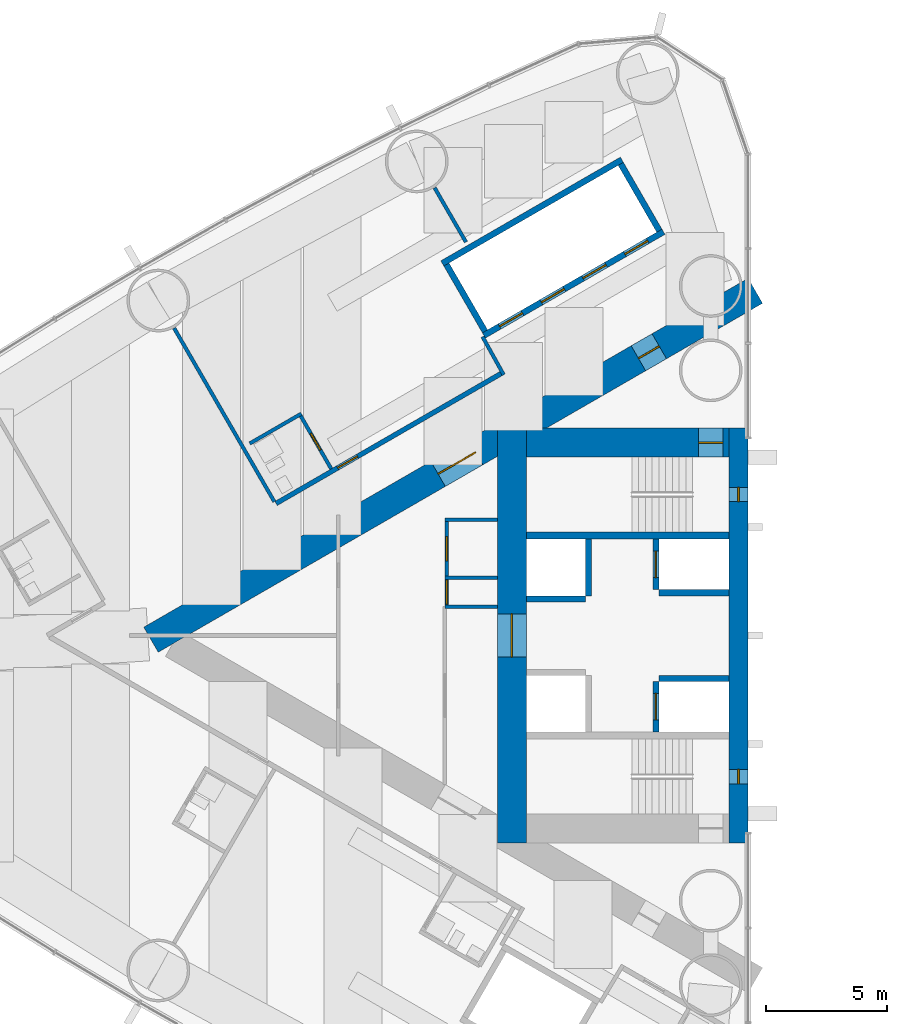
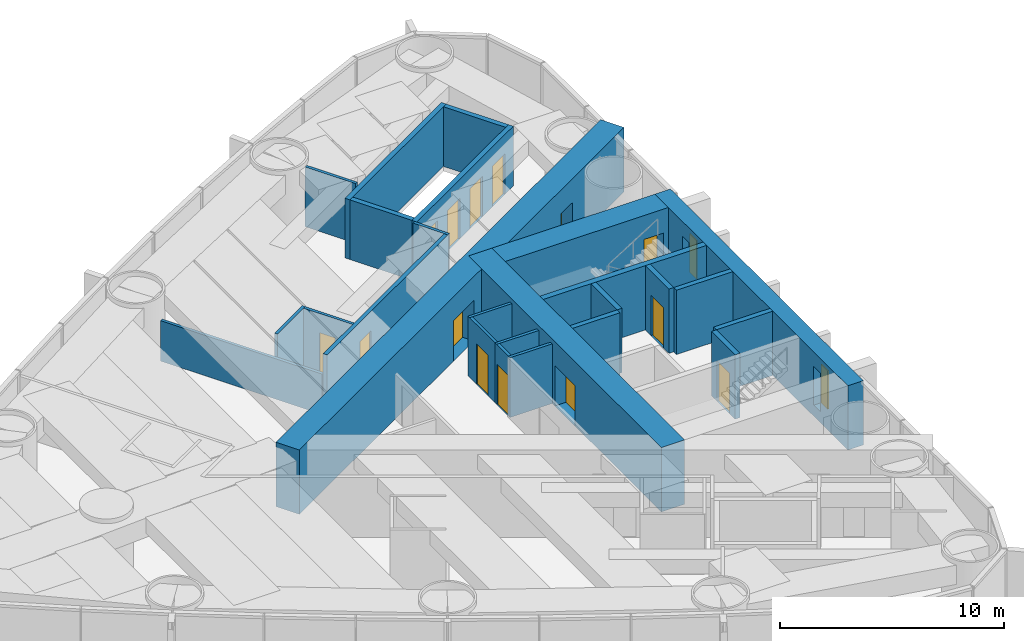
# One storey, part 12 of 18: 26 walls, 14 doors, 2 windows, 16 openings.
"""IFC4 building model written with IfcOpenShell, lengths in metres."""

from ifc_helpers import new_model, si_unit, direction, frame, frame_2d, origin, place, context, subcontext, project, spatial, rectangle, extrude, material, layer, layer_set, type_object, element, fill, save


model = new_model("IFC4")

# Units and contexts
model_context = context("Model", 3, precision=1e-05, world=origin(), true_north=direction((0.0, 1.0)))
body_context = subcontext(model_context, "Body", "Model", "MODEL_VIEW")
ifc_project = project(units=[si_unit("LENGTHUNIT", "METRE"), si_unit("AREAUNIT", "SQUARE_METRE"), si_unit("VOLUMEUNIT", "CUBIC_METRE"), si_unit("PLANEANGLEUNIT", "RADIAN"), si_unit("MASSUNIT", "GRAM", prefix="KILO")], contexts=[model_context])

# Site, building, storey
site_placement = place(None, origin())
site = spatial("IfcSite", under=ifc_project, at=site_placement, CompositionType="ELEMENT")
building_placement = place(site_placement, origin())
building = spatial("IfcBuilding", under=site, at=building_placement, Name="Lancet Gate Hotel", CompositionType="ELEMENT")
storey_placement = place(building_placement, frame((0.0, 0.0, 125.60009765625)))
storey = spatial("IfcBuildingStorey", under=building, at=storey_placement, Name="L33", CompositionType="ELEMENT", Elevation=125.60009765625)

# Wall
ifc_material_1 = material(Name="Moisture resistant board partition")
ifc_layer_1 = layer(ifc_material_1, 0.14990234375)
ifc_layer_set_1 = layer_set([ifc_layer_1], Name="Bathroom wall 150")
wall_type_1 = type_object("IfcWallType", Name="Bathroom wall 150", PredefinedType="PARTITIONING", material=ifc_layer_set_1)
wall_1_placement = place(storey_placement, frame((-46.0263671875, 9.2041015625, 0.0), z_axis=(0.0, 0.0, 1.0), x_axis=(-0.866006523861, -0.500032699561, 0.0)))
element("IfcWall", 1, at=wall_1_placement, inside=storey, type_object=wall_type_1, Name="T1 bathroom wall 150 L33", PredefinedType="PARTITIONING", context=body_context, shape_type="SweptSolid", body=[
    extrude(rectangle(XDim=2.474853515625, YDim=0.14990234375, at=frame_2d((1.2373046875, 0.0))), origin(), (0.0, 0.0, 1.0), 3.25),
])

# Wall, opening, door
wall_2_placement = place(storey_placement, frame((-44.791259765625, 6.9150390625, 0.0), z_axis=(0.0, 0.0, 1.0), x_axis=(-0.500047596559, 0.865997922154, 0.0)))
wall_2 = element("IfcWall", 2, at=wall_2_placement, inside=storey, type_object=wall_type_1, Name="T1 bathroom wall 150 L33", PredefinedType="PARTITIONING", context=body_context, shape_type="SweptSolid", body=[
    extrude(rectangle(XDim=2.599853515625, YDim=0.14990234375, at=frame_2d((1.2998046875, 0.0))), origin(), (0.0, 0.0, 1.0), 3.25),
])
opening_1_placement = place(wall_2_placement, frame((0.89990234375, 0.0, 0.0)))
opening_1 = element("IfcOpeningElement", 3, at=opening_1_placement, cuts=wall_2, Name="Opening 3302-B", PredefinedType="OPENING", context=body_context, shape_type="SweptSolid", body=[
    extrude(rectangle(XDim=0.800048828125, YDim=2.199951171875, at=frame_2d((0.39990234375, 1.10009765625))), frame((0.0, 0.0849609375, 0.0), z_axis=(0.0, -1.0, 0.0), x_axis=(1.0, 0.0, 0.0)), (0.0, 0.0, 1.0), 0.169921875),
])
ifc_material_2 = material(Name="Timber door set", Category="wood")
door_type_1 = type_object("IfcDoorType", Name="Bathroom door 800", OperationType="SINGLE_SWING_RIGHT", PredefinedType="DOOR", material=ifc_material_2)
door_1_placement = place(opening_1_placement, origin())
door_1 = element("IfcDoor", 4, at=door_1_placement, inside=storey, type_object=door_type_1, Name="3302-B", OperationType="SINGLE_SWING_RIGHT", OverallHeight=2.199951171875, OverallWidth=0.800048828125, PredefinedType="DOOR", context=body_context, shape_type="SweptSolid", body=[
    extrude(rectangle(XDim=0.800048828125, YDim=2.199951171875, at=frame_2d((0.39990234375, 1.10009765625))), frame((0.0, 0.02490234375, 0.0), z_axis=(0.0, -1.0, 0.0), x_axis=(1.0, 0.0, 0.0)), (0.0, 0.0, 1.0), 0.050048828125),
])
fill(opening_1, door_1)

# Wall, openings, doors
ifc_material_3 = material(Name="Concrete C70/85", Category="concrete")
ifc_layer_2 = layer(ifc_material_3, 1.199951171875)
ifc_layer_set_2 = layer_set([ifc_layer_2], Name="Buttress wall 1200")
wall_type_2 = type_object("IfcWallType", Name="Buttress wall 1200", PredefinedType="SHEAR", material=ifc_layer_set_2)
wall_3_placement = place(storey_placement, frame((-27.199951171875, 14.300048828125, 0.0), z_axis=(0.0, 0.0, 1.0), x_axis=(-0.866026593062, -0.499997940104, 0.0)))
wall_3 = element("IfcWall", 5, at=wall_3_placement, inside=storey, type_object=wall_type_2, Name="T1 buttress wall S L33", PredefinedType="SHEAR", context=body_context, shape_type="SweptSolid", body=[
    extrude(rectangle(XDim=28.9462890625, YDim=1.199951171875, at=frame_2d((14.47314453125, 0.0))), origin(), (0.0, 0.0, 1.0), 3.5),
])
opening_2_placement = place(wall_3_placement, frame((4.60009765625, 0.0, 0.0)))
opening_2 = element("IfcOpeningElement", 6, at=opening_2_placement, cuts=wall_3, Name="Opening T1-L33-LS", PredefinedType="OPENING", context=body_context, shape_type="SweptSolid", body=[
    extrude(rectangle(XDim=1.0, YDim=2.199951171875, at=frame_2d((0.5, 1.10009765625))), frame((0.0, 0.60986328125, 0.0), z_axis=(0.0, -1.0, 0.0), x_axis=(1.0, 0.0, 0.0)), (0.0, 0.0, 1.0), 1.219970703125),
])
opening_3_placement = place(wall_3_placement, frame((13.39453125, 0.0, 0.0)))
opening_3 = element("IfcOpeningElement", 7, at=opening_3_placement, cuts=wall_3, Name="Opening T1-L33-LHS", PredefinedType="OPENING", context=body_context, shape_type="SweptSolid", body=[
    extrude(rectangle(XDim=1.800048828125, YDim=2.199951171875, at=frame_2d((0.89990234375, 1.10009765625))), frame((0.0, 0.60986328125, 0.0), z_axis=(0.0, -1.0, 0.0), x_axis=(1.0, 0.0, 0.0)), (0.0, 0.0, 1.0), 1.219970703125),
])
ifc_material_4 = material(Name="Timber door set", Category="wood")
door_type_2 = type_object("IfcDoorType", Name="Lobby double door 1800", OperationType="DOUBLE_DOOR_SINGLE_SWING", PredefinedType="DOOR", material=ifc_material_4)
door_2_placement = place(opening_3_placement, origin())
door_2 = element("IfcDoor", 8, at=door_2_placement, inside=storey, type_object=door_type_2, Name="T1-L33-LHS", OperationType="DOUBLE_DOOR_SINGLE_SWING", OverallHeight=2.199951171875, OverallWidth=1.800048828125, PredefinedType="DOOR", context=body_context, shape_type="SweptSolid", body=[
    extrude(rectangle(XDim=1.800048828125, YDim=2.199951171875, at=frame_2d((0.89990234375, 1.10009765625))), frame((0.0, 0.02490234375, 0.0), z_axis=(0.0, -1.0, 0.0), x_axis=(1.0, 0.0, 0.0)), (0.0, 0.0, 1.0), 0.050048828125),
])
fill(opening_3, door_2)
ifc_material_5 = material(Name="Timber door set", Category="wood")
door_type_3 = type_object("IfcDoorType", Name="Stair lobby door 1000", OperationType="SINGLE_SWING_LEFT", PredefinedType="DOOR", material=ifc_material_5)
door_3_placement = place(opening_2_placement, origin())
door_3 = element("IfcDoor", 9, at=door_3_placement, inside=storey, type_object=door_type_3, Name="T1-L33-LS", OperationType="SINGLE_SWING_LEFT", OverallHeight=2.199951171875, OverallWidth=1.0, PredefinedType="DOOR", context=body_context, shape_type="SweptSolid", body=[
    extrude(rectangle(XDim=1.0, YDim=2.199951171875, at=frame_2d((0.5, 1.10009765625))), frame((0.0, 0.02490234375, 0.0), z_axis=(0.0, -1.0, 0.0), x_axis=(1.0, 0.0, 0.0)), (0.0, 0.0, 1.0), 0.050048828125),
])
fill(opening_2, door_3)

# Wall, opening, door
ifc_material_6 = material(Name="Concrete C70/85", Category="concrete")
ifc_layer_3 = layer(ifc_material_6, 1.199951171875)
ifc_layer_set_3 = layer_set([ifc_layer_3], Name="Core wall 1200")
wall_type_3 = type_object("IfcWallType", Name="Core wall 1200", PredefinedType="SHEAR", material=ifc_layer_set_3)
wall_4_placement = place(storey_placement, frame((-37.300048828125, 8.60009765625, 0.0), z_axis=(0.0, 0.0, 1.0), x_axis=(0.0, -1.0, 0.0)))
wall_4 = element("IfcWall", 10, at=wall_4_placement, inside=storey, type_object=wall_type_3, Name="T1 core wall back L33", PredefinedType="SHEAR", context=body_context, shape_type="SweptSolid", body=[
    extrude(rectangle(XDim=17.2001953125, YDim=1.199951171875, at=frame_2d((8.60009765625, 0.0))), origin(), (0.0, 0.0, 1.0), 3.5),
])
opening_4_placement = place(wall_4_placement, frame((7.699951171875, 0.0, 0.0)))
opening_4 = element("IfcOpeningElement", 11, at=opening_4_placement, cuts=wall_4, Name="Opening T1-L33-LL", PredefinedType="OPENING", context=body_context, shape_type="SweptSolid", body=[
    extrude(rectangle(XDim=1.800048828125, YDim=2.199951171875, at=frame_2d((0.89990234375, 1.10009765625))), frame((0.0, 0.60986328125, 0.0), z_axis=(0.0, -1.0, 0.0), x_axis=(1.0, 0.0, 0.0)), (0.0, 0.0, 1.0), 1.219970703125),
])
door_4_placement = place(opening_4_placement, origin())
door_4 = element("IfcDoor", 12, at=door_4_placement, inside=storey, type_object=door_type_2, Name="T1-L33-LL", OperationType="DOUBLE_DOOR_SINGLE_SWING", OverallHeight=2.199951171875, OverallWidth=1.800048828125, PredefinedType="DOOR", context=body_context, shape_type="SweptSolid", body=[
    extrude(rectangle(XDim=1.800048828125, YDim=2.199951171875, at=frame_2d((0.89990234375, 1.10009765625))), frame((0.0, 0.02490234375, 0.0), z_axis=(0.0, -1.0, 0.0), x_axis=(1.0, 0.0, 0.0)), (0.0, 0.0, 1.0), 0.050048828125),
])
fill(opening_4, door_4)

wall_5_placement = place(storey_placement, frame((-28.300048828125, 8.0, 0.0), z_axis=(0.0, 0.0, 1.0), x_axis=(-1.0, 0.0, 0.0)))
wall_5 = element("IfcWall", 13, at=wall_5_placement, inside=storey, type_object=wall_type_3, Name="T1 core wall side-S L33", PredefinedType="SHEAR", context=body_context, shape_type="SweptSolid", body=[
    extrude(rectangle(XDim=8.39990234375, YDim=1.199951171875, at=frame_2d((4.199951171875, 0.0))), origin(), (0.0, 0.0, 1.0), 3.5),
])
opening_5_placement = place(wall_5_placement, frame((0.25, 0.0, 0.0)))
opening_5 = element("IfcOpeningElement", 14, at=opening_5_placement, cuts=wall_5, Name="Opening T1-L33-ST1", PredefinedType="OPENING", context=body_context, shape_type="SweptSolid", body=[
    extrude(rectangle(XDim=1.0, YDim=2.199951171875, at=frame_2d((0.5, 1.10009765625))), frame((0.0, 0.60986328125, 0.0), z_axis=(0.0, -1.0, 0.0), x_axis=(1.0, 0.0, 0.0)), (0.0, 0.0, 1.0), 1.219970703125),
])
ifc_material_7 = material(Name="Timber door set", Category="wood")
door_type_4 = type_object("IfcDoorType", Name="Stair door 1000", OperationType="SINGLE_SWING_RIGHT", PredefinedType="DOOR", material=ifc_material_7)
door_5_placement = place(opening_5_placement, origin())
door_5 = element("IfcDoor", 15, at=door_5_placement, inside=storey, type_object=door_type_4, Name="T1-L33-ST1", OperationType="SINGLE_SWING_RIGHT", OverallHeight=2.199951171875, OverallWidth=1.0, PredefinedType="DOOR", context=body_context, shape_type="SweptSolid", body=[
    extrude(rectangle(XDim=1.0, YDim=2.199951171875, at=frame_2d((0.5, 1.10009765625))), frame((0.0, 0.02490234375, 0.0), z_axis=(0.0, -1.0, 0.0), x_axis=(1.0, 0.0, 0.0)), (0.0, 0.0, 1.0), 0.050048828125),
])
fill(opening_5, door_5)

# Wall, openings, windows
ifc_material_8 = material(Name="Concrete C70/85", Category="concrete")
ifc_layer_4 = layer(ifc_material_8, 0.800048828125)
ifc_layer_set_4 = layer_set([ifc_layer_4], Name="Core wall 800")
wall_type_4 = type_object("IfcWallType", Name="Core wall 800", PredefinedType="SHEAR", material=ifc_layer_set_4)
wall_6_placement = place(storey_placement, frame((-27.89990234375, 8.60009765625, 0.0), z_axis=(0.0, 0.0, 1.0), x_axis=(0.0, -1.0, 0.0)))
wall_6 = element("IfcWall", 16, at=wall_6_placement, inside=storey, type_object=wall_type_4, Name="T1 core wall front L33", PredefinedType="SHEAR", context=body_context, shape_type="SweptSolid", body=[
    extrude(rectangle(XDim=17.2001953125, YDim=0.800048828125, at=frame_2d((8.60009765625, 0.0))), origin(), (0.0, 0.0, 1.0), 3.5),
])
opening_6_placement = place(wall_6_placement, frame((2.449951171875, 0.0, 0.60009765625)))
opening_6 = element("IfcOpeningElement", 17, at=opening_6_placement, cuts=wall_6, Name="Opening LW1", PredefinedType="OPENING", context=body_context, shape_type="SweptSolid", body=[
    extrude(rectangle(XDim=0.60009765625, YDim=2.10009765625, at=frame_2d((0.300048828125, 1.050048828125))), frame((0.0, 0.409912109375, 0.0), z_axis=(0.0, -1.0, 0.0), x_axis=(1.0, 0.0, 0.0)), (0.0, 0.0, 1.0), 0.820068359375),
])
opening_7_placement = place(wall_6_placement, frame((14.14990234375, 0.0, 0.60009765625)))
opening_7 = element("IfcOpeningElement", 18, at=opening_7_placement, cuts=wall_6, Name="Opening LW1", PredefinedType="OPENING", context=body_context, shape_type="SweptSolid", body=[
    extrude(rectangle(XDim=0.60009765625, YDim=2.10009765625, at=frame_2d((0.300048828125, 1.050048828125))), frame((0.0, 0.409912109375, 0.0), z_axis=(0.0, -1.0, 0.0), x_axis=(1.0, 0.0, 0.0)), (0.0, 0.0, 1.0), 0.820068359375),
])
ifc_material_9 = material(Name="Fire-resisting glazed steel window", Category="steel")
window_type = type_object("IfcWindowType", Name="Lancet window 600x2100", PartitioningType="SINGLE_PANEL", PredefinedType="WINDOW", material=ifc_material_9)
window_1_placement = place(opening_6_placement, origin())
window_1 = element("IfcWindow", 19, at=window_1_placement, inside=storey, type_object=window_type, Name="T1 stair window S L33", OverallHeight=2.10009765625, OverallWidth=0.60009765625, PartitioningType="SINGLE_PANEL", PredefinedType="WINDOW", context=body_context, shape_type="SweptSolid", body=[
    extrude(rectangle(XDim=0.60009765625, YDim=2.10009765625, at=frame_2d((0.300048828125, 1.050048828125))), frame((0.0, 0.030029296875, 0.0), z_axis=(0.0, -1.0, 0.0), x_axis=(1.0, 0.0, 0.0)), (0.0, 0.0, 1.0), 0.06005859375),
])
fill(opening_6, window_1)
window_2_placement = place(opening_7_placement, origin())
window_2 = element("IfcWindow", 20, at=window_2_placement, inside=storey, type_object=window_type, Name="T1 stair window N L33", OverallHeight=2.10009765625, OverallWidth=0.60009765625, PartitioningType="SINGLE_PANEL", PredefinedType="WINDOW", context=body_context, shape_type="SweptSolid", body=[
    extrude(rectangle(XDim=0.60009765625, YDim=2.10009765625, at=frame_2d((0.300048828125, 1.050048828125))), frame((0.0, 0.030029296875, 0.0), z_axis=(0.0, -1.0, 0.0), x_axis=(1.0, 0.0, 0.0)), (0.0, 0.0, 1.0), 0.06005859375),
])
fill(opening_7, window_2)

# Wall, opening, door
ifc_material_10 = material(Name="Gypsum board partition")
ifc_layer_5 = layer(ifc_material_10, 0.199951171875)
ifc_layer_set_5 = layer_set([ifc_layer_5], Name="Corridor wall 200")
wall_type_5 = type_object("IfcWallType", Name="Corridor wall 200", PredefinedType="PARTITIONING", material=ifc_layer_set_5)
wall_7_placement = place(storey_placement, frame((-37.699951171875, 10.8935546875, 0.0), z_axis=(0.0, 0.0, 1.0), x_axis=(-0.866027551079, -0.499996280759, 0.0)))
wall_7 = element("IfcWall", 21, at=wall_7_placement, inside=storey, type_object=wall_type_5, Name="T1 corridor wall 200 L33", PredefinedType="PARTITIONING", context=body_context, shape_type="SweptSolid", body=[
    extrude(rectangle(XDim=10.83056640625, YDim=0.199951171875, at=frame_2d((5.415283203125, 0.0))), origin(), (0.0, 0.0, 1.0), 3.25),
])
opening_8_placement = place(wall_7_placement, frame((6.930419921875, 0.0, 0.0)))
opening_8 = element("IfcOpeningElement", 22, at=opening_8_placement, cuts=wall_7, Name="Opening 3302-E", PredefinedType="OPENING", context=body_context, shape_type="SweptSolid", body=[
    extrude(rectangle(XDim=0.949951171875, YDim=2.199951171875, at=frame_2d((0.47509765625, 1.10009765625))), frame((0.0, 0.10986328125, 0.0), z_axis=(0.0, -1.0, 0.0), x_axis=(1.0, 0.0, 0.0)), (0.0, 0.0, 1.0), 0.219970703125),
])
ifc_material_11 = material(Name="Timber door set", Category="wood")
door_type_5 = type_object("IfcDoorType", Name="Guest room entry door 950", OperationType="SINGLE_SWING_LEFT", PredefinedType="DOOR", material=ifc_material_11)
door_6_placement = place(opening_8_placement, origin())
door_6 = element("IfcDoor", 23, at=door_6_placement, inside=storey, type_object=door_type_5, Name="3302-E", OperationType="SINGLE_SWING_LEFT", OverallHeight=2.199951171875, OverallWidth=0.949951171875, PredefinedType="DOOR", context=body_context, shape_type="SweptSolid", body=[
    extrude(rectangle(XDim=0.949951171875, YDim=2.199951171875, at=frame_2d((0.47509765625, 1.10009765625))), frame((0.0, 0.02490234375, 0.0), z_axis=(0.0, -1.0, 0.0), x_axis=(1.0, 0.0, 0.0)), (0.0, 0.0, 1.0), 0.050048828125),
])
fill(opening_8, door_6)

# Wall, openings, doors
ifc_material_12 = material(Name="Gypsum board partition")
ifc_layer_6 = layer(ifc_material_12, 0.25)
ifc_layer_set_6 = layer_set([ifc_layer_6], Name="Lift shaft partition 250")
wall_type_6 = type_object("IfcWallType", Name="Lift shaft partition 250", PredefinedType="PARTITIONING", material=ifc_layer_set_6)
wall_8_placement = place(storey_placement, frame((-31.010498046875, 16.747314453125, 0.0), z_axis=(0.0, 0.0, 1.0), x_axis=(-0.866028165386, -0.499995216735, 0.0)))
wall_8 = element("IfcWall", 24, at=wall_8_placement, inside=storey, type_object=wall_type_6, Name="T1 lift shaft wall LR L33", PredefinedType="PARTITIONING", context=body_context, shape_type="SweptSolid", body=[
    extrude(rectangle(XDim=8.60009765625, YDim=0.25, at=frame_2d((4.300048828125, 0.0))), origin(), (0.0, 0.0, 1.0), 3.25),
])
opening_9_placement = place(wall_8_placement, frame((0.75, 0.0, 0.0)))
opening_9 = element("IfcOpeningElement", 25, at=opening_9_placement, cuts=wall_8, Name="Opening T1-LR1-L33", PredefinedType="OPENING", context=body_context, shape_type="SweptSolid", body=[
    extrude(rectangle(XDim=1.10009765625, YDim=2.199951171875, at=frame_2d((0.550048828125, 1.10009765625))), frame((0.0, 0.135009765625, 0.0), z_axis=(0.0, -1.0, 0.0), x_axis=(1.0, 0.0, 0.0)), (0.0, 0.0, 1.0), 0.27001953125),
])
opening_10_placement = place(wall_8_placement, frame((2.75, 0.0, 0.0)))
opening_10 = element("IfcOpeningElement", 26, at=opening_10_placement, cuts=wall_8, Name="Opening T1-LR2-L33", PredefinedType="OPENING", context=body_context, shape_type="SweptSolid", body=[
    extrude(rectangle(XDim=1.10009765625, YDim=2.199951171875, at=frame_2d((0.550048828125, 1.10009765625))), frame((0.0, 0.135009765625, 0.0), z_axis=(0.0, -1.0, 0.0), x_axis=(1.0, 0.0, 0.0)), (0.0, 0.0, 1.0), 0.27001953125),
])
opening_11_placement = place(wall_8_placement, frame((4.75, 0.0, 0.0)))
opening_11 = element("IfcOpeningElement", 27, at=opening_11_placement, cuts=wall_8, Name="Opening T1-LR3-L33", PredefinedType="OPENING", context=body_context, shape_type="SweptSolid", body=[
    extrude(rectangle(XDim=1.10009765625, YDim=2.199951171875, at=frame_2d((0.550048828125, 1.10009765625))), frame((0.0, 0.135009765625, 0.0), z_axis=(0.0, -1.0, 0.0), x_axis=(1.0, 0.0, 0.0)), (0.0, 0.0, 1.0), 0.27001953125),
])
opening_12_placement = place(wall_8_placement, frame((6.75, 0.0, 0.0)))
opening_12 = element("IfcOpeningElement", 28, at=opening_12_placement, cuts=wall_8, Name="Opening T1-LR4-L33", PredefinedType="OPENING", context=body_context, shape_type="SweptSolid", body=[
    extrude(rectangle(XDim=1.10009765625, YDim=2.199951171875, at=frame_2d((0.550048828125, 1.10009765625))), frame((0.0, 0.135009765625, 0.0), z_axis=(0.0, -1.0, 0.0), x_axis=(1.0, 0.0, 0.0)), (0.0, 0.0, 1.0), 0.27001953125),
])
ifc_material_13 = material(Name="Steel door set", Category="steel")
door_type_6 = type_object("IfcDoorType", Name="Lift landing door 1100", OperationType="DOUBLE_DOOR_SLIDING", PredefinedType="USERDEFINED", material=ifc_material_13)
door_7_placement = place(opening_9_placement, origin())
door_7 = element("IfcDoor", 29, at=door_7_placement, inside=storey, type_object=door_type_6, Name="T1-LR1-L33", ObjectType="LIFT LANDING DOOR", OperationType="DOUBLE_DOOR_SLIDING", OverallHeight=2.199951171875, OverallWidth=1.10009765625, PredefinedType="USERDEFINED", context=body_context, shape_type="SweptSolid", body=[
    extrude(rectangle(XDim=1.10009765625, YDim=2.199951171875, at=frame_2d((0.550048828125, 1.10009765625))), frame((0.0, 0.02490234375, 0.0), z_axis=(0.0, -1.0, 0.0), x_axis=(1.0, 0.0, 0.0)), (0.0, 0.0, 1.0), 0.050048828125),
])
fill(opening_9, door_7)
door_8_placement = place(opening_10_placement, origin())
door_8 = element("IfcDoor", 30, at=door_8_placement, inside=storey, type_object=door_type_6, Name="T1-LR2-L33", ObjectType="LIFT LANDING DOOR", OperationType="DOUBLE_DOOR_SLIDING", OverallHeight=2.199951171875, OverallWidth=1.10009765625, PredefinedType="USERDEFINED", context=body_context, shape_type="SweptSolid", body=[
    extrude(rectangle(XDim=1.10009765625, YDim=2.199951171875, at=frame_2d((0.550048828125, 1.10009765625))), frame((0.0, 0.02490234375, 0.0), z_axis=(0.0, -1.0, 0.0), x_axis=(1.0, 0.0, 0.0)), (0.0, 0.0, 1.0), 0.050048828125),
])
fill(opening_10, door_8)
door_9_placement = place(opening_11_placement, origin())
door_9 = element("IfcDoor", 31, at=door_9_placement, inside=storey, type_object=door_type_6, Name="T1-LR3-L33", ObjectType="LIFT LANDING DOOR", OperationType="DOUBLE_DOOR_SLIDING", OverallHeight=2.199951171875, OverallWidth=1.10009765625, PredefinedType="USERDEFINED", context=body_context, shape_type="SweptSolid", body=[
    extrude(rectangle(XDim=1.10009765625, YDim=2.199951171875, at=frame_2d((0.550048828125, 1.10009765625))), frame((0.0, 0.02490234375, 0.0), z_axis=(0.0, -1.0, 0.0), x_axis=(1.0, 0.0, 0.0)), (0.0, 0.0, 1.0), 0.050048828125),
])
fill(opening_11, door_9)
door_10_placement = place(opening_12_placement, origin())
door_10 = element("IfcDoor", 32, at=door_10_placement, inside=storey, type_object=door_type_6, Name="T1-LR4-L33", ObjectType="LIFT LANDING DOOR", OperationType="DOUBLE_DOOR_SLIDING", OverallHeight=2.199951171875, OverallWidth=1.10009765625, PredefinedType="USERDEFINED", context=body_context, shape_type="SweptSolid", body=[
    extrude(rectangle(XDim=1.10009765625, YDim=2.199951171875, at=frame_2d((0.550048828125, 1.10009765625))), frame((0.0, 0.02490234375, 0.0), z_axis=(0.0, -1.0, 0.0), x_axis=(1.0, 0.0, 0.0)), (0.0, 0.0, 1.0), 0.050048828125),
])
fill(opening_12, door_10)

# Walls
wall_9_placement = place(storey_placement, frame((-32.735595703125, 19.73583984375, 0.0), z_axis=(0.0, 0.0, 1.0), x_axis=(-0.866028165386, -0.499995216735, 0.0)))
element("IfcWall", 33, at=wall_9_placement, inside=storey, type_object=wall_type_6, Name="T1 lift shaft wall LR L33", PredefinedType="PARTITIONING", context=body_context, shape_type="SweptSolid", body=[
    extrude(rectangle(XDim=8.60009765625, YDim=0.25, at=frame_2d((4.300048828125, 0.0))), origin(), (0.0, 0.0, 1.0), 3.25),
])
wall_10_placement = place(storey_placement, frame((-31.18115234375, 16.79296875, 0.0), z_axis=(0.0, 0.0, 1.0), x_axis=(-0.499929347863, 0.866066190972, 0.0)))
element("IfcWall", 34, at=wall_10_placement, inside=storey, type_object=wall_type_6, Name="T1 lift shaft wall LR L33", PredefinedType="PARTITIONING", context=body_context, shape_type="SweptSolid", body=[
    extrude(rectangle(XDim=3.20068359375, YDim=0.25, at=frame_2d((1.600341796875, 0.0))), origin(), (0.0, 0.0, 1.0), 3.25),
])
wall_11_placement = place(storey_placement, frame((-38.412841796875, 12.617919921875, 0.0), z_axis=(0.0, 0.0, 1.0), x_axis=(-0.499872130319, 0.866099216793, 0.0)))
element("IfcWall", 35, at=wall_11_placement, inside=storey, type_object=wall_type_6, Name="T1 lift shaft wall LR L33", PredefinedType="PARTITIONING", context=body_context, shape_type="SweptSolid", body=[
    extrude(rectangle(XDim=3.200439453125, YDim=0.25, at=frame_2d((1.60009765625, 0.0))), origin(), (0.0, 0.0, 1.0), 3.25),
])

# Wall, opening, door
ifc_material_14 = material(Name="Concrete C50/60", Category="concrete")
ifc_layer_7 = layer(ifc_material_14, 0.25)
ifc_layer_set_7 = layer_set([ifc_layer_7], Name="Lift shaft wall 250")
wall_type_7 = type_object("IfcWallType", Name="Lift shaft wall 250", PredefinedType="SHEAR", material=ifc_layer_set_7)
wall_12_placement = place(storey_placement, frame((-31.324951171875, 4.0, 0.0), z_axis=(0.0, 0.0, 1.0), x_axis=(0.0, -1.0, 0.0)))
wall_12 = element("IfcWall", 36, at=wall_12_placement, inside=storey, type_object=wall_type_7, Name="T1 core wall row1-S L33", PredefinedType="SHEAR", context=body_context, shape_type="SweptSolid", body=[
    extrude(rectangle(XDim=2.10009765625, YDim=0.25, at=frame_2d((1.050048828125, 0.0))), origin(), (0.0, 0.0, 1.0), 3.5),
])
opening_13_placement = place(wall_12_placement, frame((0.5, 0.0, 0.0)))
opening_13 = element("IfcOpeningElement", 37, at=opening_13_placement, cuts=wall_12, Name="Opening T1-SL1-L33", PredefinedType="OPENING", context=body_context, shape_type="SweptSolid", body=[
    extrude(rectangle(XDim=1.10009765625, YDim=2.199951171875, at=frame_2d((0.550048828125, 1.10009765625))), frame((0.0, 0.135009765625, 0.0), z_axis=(0.0, -1.0, 0.0), x_axis=(1.0, 0.0, 0.0)), (0.0, 0.0, 1.0), 0.27001953125),
])
ifc_material_15 = material(Name="Timber door set", Category="wood")
door_type_7 = type_object("IfcDoorType", Name="Service lift landing door 1100", OperationType="SLIDING_TO_LEFT", PredefinedType="USERDEFINED", material=ifc_material_15)
door_11_placement = place(opening_13_placement, origin())
door_11 = element("IfcDoor", 38, at=door_11_placement, inside=storey, type_object=door_type_7, Name="T1-SL1-L33", ObjectType="LIFT LANDING DOOR", OperationType="SLIDING_TO_LEFT", OverallHeight=2.199951171875, OverallWidth=1.10009765625, PredefinedType="USERDEFINED", context=body_context, shape_type="SweptSolid", body=[
    extrude(rectangle(XDim=1.10009765625, YDim=2.199951171875, at=frame_2d((0.550048828125, 1.10009765625))), frame((0.0, 0.02490234375, 0.0), z_axis=(0.0, -1.0, 0.0), x_axis=(1.0, 0.0, 0.0)), (0.0, 0.0, 1.0), 0.050048828125),
])
fill(opening_13, door_11)

# Walls
wall_13_placement = place(storey_placement, frame((-34.125, 4.0, 0.0), z_axis=(0.0, 0.0, 1.0), x_axis=(0.0, -1.0, 0.0)))
element("IfcWall", 39, at=wall_13_placement, inside=storey, type_object=wall_type_7, Name="T1 core wall row2-S L33", PredefinedType="SHEAR", context=body_context, shape_type="SweptSolid", body=[
    extrude(rectangle(XDim=2.35009765625, YDim=0.25, at=frame_2d((1.175048828125, 0.0))), origin(), (0.0, 0.0, 1.0), 3.5),
])
wall_14_placement = place(storey_placement, frame((-28.300048828125, 1.77490234375, 0.0), z_axis=(0.0, 0.0, 1.0), x_axis=(-1.0, 0.0, 0.0)))
element("IfcWall", 40, at=wall_14_placement, inside=storey, type_object=wall_type_7, Name="T1 core wall pass1-S L33", PredefinedType="SHEAR", context=body_context, shape_type="SweptSolid", body=[
    extrude(rectangle(XDim=2.89990234375, YDim=0.25, at=frame_2d((1.449951171875, 0.0))), origin(), (0.0, 0.0, 1.0), 3.5),
])
wall_15_placement = place(storey_placement, frame((-34.25, 1.52490234375, 0.0), z_axis=(0.0, 0.0, 1.0), x_axis=(-1.0, 0.0, 0.0)))
element("IfcWall", 41, at=wall_15_placement, inside=storey, type_object=wall_type_7, Name="T1 core wall pass2-S L33", PredefinedType="SHEAR", context=body_context, shape_type="SweptSolid", body=[
    extrude(rectangle(XDim=2.449951171875, YDim=0.25, at=frame_2d((1.22509765625, 0.0))), origin(), (0.0, 0.0, 1.0), 3.5),
])

# Wall, opening, door
wall_16_placement = place(storey_placement, frame((-31.324951171875, -1.89990234375, 0.0), z_axis=(0.0, 0.0, 1.0), x_axis=(0.0, -1.0, 0.0)))
wall_16 = element("IfcWall", 42, at=wall_16_placement, inside=storey, type_object=wall_type_7, Name="T1 core wall row1-N L33", PredefinedType="SHEAR", context=body_context, shape_type="SweptSolid", body=[
    extrude(rectangle(XDim=2.10009765625, YDim=0.25, at=frame_2d((1.050048828125, 0.0))), origin(), (0.0, 0.0, 1.0), 3.5),
])
opening_14_placement = place(wall_16_placement, frame((0.5, 0.0, 0.0)))
opening_14 = element("IfcOpeningElement", 43, at=opening_14_placement, cuts=wall_16, Name="Opening T1-FL2-L33", PredefinedType="OPENING", context=body_context, shape_type="SweptSolid", body=[
    extrude(rectangle(XDim=1.10009765625, YDim=2.199951171875, at=frame_2d((0.550048828125, 1.10009765625))), frame((0.0, 0.135009765625, 0.0), z_axis=(0.0, -1.0, 0.0), x_axis=(1.0, 0.0, 0.0)), (0.0, 0.0, 1.0), 0.27001953125),
])
ifc_material_16 = material(Name="Steel door set", Category="steel")
door_type_8 = type_object("IfcDoorType", Name="Firefighting lift landing door 1100", OperationType="SLIDING_TO_LEFT", PredefinedType="USERDEFINED", material=ifc_material_16)
door_12_placement = place(opening_14_placement, origin())
door_12 = element("IfcDoor", 44, at=door_12_placement, inside=storey, type_object=door_type_8, Name="T1-FL2-L33", ObjectType="LIFT LANDING DOOR", OperationType="SLIDING_TO_LEFT", OverallHeight=2.199951171875, OverallWidth=1.10009765625, PredefinedType="USERDEFINED", context=body_context, shape_type="SweptSolid", body=[
    extrude(rectangle(XDim=1.10009765625, YDim=2.199951171875, at=frame_2d((0.550048828125, 1.10009765625))), frame((0.0, 0.02490234375, 0.0), z_axis=(0.0, -1.0, 0.0), x_axis=(1.0, 0.0, 0.0)), (0.0, 0.0, 1.0), 0.050048828125),
])
fill(opening_14, door_12)

# Walls
wall_17_placement = place(storey_placement, frame((-28.300048828125, -1.77490234375, 0.0), z_axis=(0.0, 0.0, 1.0), x_axis=(-1.0, 0.0, 0.0)))
element("IfcWall", 45, at=wall_17_placement, inside=storey, type_object=wall_type_7, Name="T1 core wall pass1-N L33", PredefinedType="SHEAR", context=body_context, shape_type="SweptSolid", body=[
    extrude(rectangle(XDim=2.89990234375, YDim=0.25, at=frame_2d((1.449951171875, 0.0))), origin(), (0.0, 0.0, 1.0), 3.5),
])
ifc_material_17 = material(Name="Gypsum board partition")
ifc_layer_8 = layer(ifc_material_17, 0.14990234375)
ifc_layer_set_8 = layer_set([ifc_layer_8], Name="Party wall 150")
wall_type_8 = type_object("IfcWallType", Name="Party wall 150", PredefinedType="PARTITIONING", material=ifc_layer_set_8)
wall_18_placement = place(storey_placement, frame((-47.151123046875, 5.552490234375, 0.0), z_axis=(0.0, 0.0, 1.0), x_axis=(-0.500003012045, 0.866023664773, 0.0)))
element("IfcWall", 46, at=wall_18_placement, inside=storey, type_object=wall_type_8, Name="T1 party wall 150 L33", PredefinedType="PARTITIONING", context=body_context, shape_type="SweptSolid", body=[
    extrude(rectangle(XDim=8.31103515625, YDim=0.14990234375, at=frame_2d((4.155517578125, 0.0))), origin(), (0.0, 0.0, 1.0), 2.199951171875),
])
wall_19_placement = place(storey_placement, frame((-39.202392578125, 16.31982421875, 0.0), z_axis=(0.0, 0.0, 1.0), x_axis=(-0.499947391036, 0.866055775454, 0.0)))
element("IfcWall", 47, at=wall_19_placement, inside=storey, type_object=wall_type_8, Name="T1 party wall 150 L33", PredefinedType="PARTITIONING", context=body_context, shape_type="SweptSolid", body=[
    extrude(rectangle(XDim=2.599365234375, YDim=0.14990234375, at=frame_2d((1.2998046875, 0.0))), origin(), (0.0, 0.0, 1.0), 3.25),
])
ifc_material_18 = material(Name="Gypsum board partition")
ifc_layer_9 = layer(ifc_material_18, 0.14990234375)
ifc_layer_set_9 = layer_set([ifc_layer_9], Name="Service room wall 150")
wall_type_9 = type_object("IfcWallType", Name="Service room wall 150", PredefinedType="PARTITIONING", material=ifc_layer_set_9)
wall_20_placement = place(storey_placement, frame((-38.513427734375, 12.392333984375, 0.0), z_axis=(0.0, 0.0, 1.0), x_axis=(0.485585508183, -0.874189175317, 0.0)))
element("IfcWall", 48, at=wall_20_placement, inside=storey, type_object=wall_type_9, Name="T1 service room wall 150 L33", PredefinedType="PARTITIONING", context=body_context, shape_type="SweptSolid", body=[
    extrude(rectangle(XDim=1.804931640625, YDim=0.14990234375, at=frame_2d((0.90234375, 0.0))), origin(), (0.0, 0.0, 1.0), 3.25),
])
for number, where, z_axis, x_axis, name in (
    (49, (-37.89990234375, 1.199951171875, 0.0), (0.0, 0.0, 1.0), (-1.0, 0.0, 0.0), "T1 service room wall 150 L33"),
    (50, (-37.89990234375, 2.39990234375, 0.0), (0.0, 0.0, 1.0), (-1.0, 0.0, 0.0), "T1 service room wall 150 L33"),
    (51, (-37.89990234375, 4.800048828125, 0.0), (0.0, 0.0, 1.0), (-1.0, 0.0, 0.0), "T1 service room wall 150 L33"),
):
    element("IfcWall", number, at=place(storey_placement, frame(where, z_axis=z_axis, x_axis=x_axis)), inside=storey, type_object=wall_type_9, Name=name, PredefinedType="PARTITIONING", context=body_context, shape_type="SweptSolid", body=[
        extrude(rectangle(XDim=2.175048828125, YDim=0.14990234375, at=frame_2d((1.08740234375, 0.0))), origin(), (0.0, 0.0, 1.0), 3.25),
    ])

# Wall, opening, door
wall_21_placement = place(storey_placement, frame((-40.0, 2.47509765625, 0.0), z_axis=(0.0, 0.0, 1.0), x_axis=(0.0, -1.0, 0.0)))
wall_21 = element("IfcWall", 52, at=wall_21_placement, inside=storey, type_object=wall_type_9, Name="T1 service room wall 150 L33", PredefinedType="PARTITIONING", context=body_context, shape_type="SweptSolid", body=[
    extrude(rectangle(XDim=1.35009765625, YDim=0.14990234375, at=frame_2d((0.675048828125, 0.0))), origin(), (0.0, 0.0, 1.0), 3.25),
])
opening_15_placement = place(wall_21_placement, frame((0.175048828125, 0.0, 0.0)))
opening_15 = element("IfcOpeningElement", 53, at=opening_15_placement, cuts=wall_21, Name="Opening T1-L33-HRS0", PredefinedType="OPENING", context=body_context, shape_type="SweptSolid", body=[
    extrude(rectangle(XDim=1.0, YDim=2.199951171875, at=frame_2d((0.5, 1.10009765625))), frame((0.0, 0.0849609375, 0.0), z_axis=(0.0, -1.0, 0.0), x_axis=(1.0, 0.0, 0.0)), (0.0, 0.0, 1.0), 0.169921875),
])
ifc_material_19 = material(Name="Timber door set", Category="wood")
door_type_9 = type_object("IfcDoorType", Name="Service door 1000", OperationType="SINGLE_SWING_LEFT", PredefinedType="DOOR", material=ifc_material_19)
door_13_placement = place(opening_15_placement, origin())
door_13 = element("IfcDoor", 54, at=door_13_placement, inside=storey, type_object=door_type_9, Name="T1-L33-HRS0", OperationType="SINGLE_SWING_LEFT", OverallHeight=2.199951171875, OverallWidth=1.0, PredefinedType="DOOR", context=body_context, shape_type="SweptSolid", body=[
    extrude(rectangle(XDim=1.0, YDim=2.199951171875, at=frame_2d((0.5, 1.10009765625))), frame((0.0, 0.02490234375, 0.0), z_axis=(0.0, -1.0, 0.0), x_axis=(1.0, 0.0, 0.0)), (0.0, 0.0, 1.0), 0.050048828125),
])
fill(opening_15, door_13)

wall_22_placement = place(storey_placement, frame((-40.0, 4.875, 0.0), z_axis=(0.0, 0.0, 1.0), x_axis=(0.0, -1.0, 0.0)))
wall_22 = element("IfcWall", 55, at=wall_22_placement, inside=storey, type_object=wall_type_9, Name="T1 service room wall 150 L33", PredefinedType="PARTITIONING", context=body_context, shape_type="SweptSolid", body=[
    extrude(rectangle(XDim=2.550048828125, YDim=0.14990234375, at=frame_2d((1.27490234375, 0.0))), origin(), (0.0, 0.0, 1.0), 3.25),
])
opening_16_placement = place(wall_22_placement, frame((0.77490234375, 0.0, 0.0)))
opening_16 = element("IfcOpeningElement", 56, at=opening_16_placement, cuts=wall_22, Name="Opening T1-L33-HRS1", PredefinedType="OPENING", context=body_context, shape_type="SweptSolid", body=[
    extrude(rectangle(XDim=1.0, YDim=2.199951171875, at=frame_2d((0.5, 1.10009765625))), frame((0.0, 0.0849609375, 0.0), z_axis=(0.0, -1.0, 0.0), x_axis=(1.0, 0.0, 0.0)), (0.0, 0.0, 1.0), 0.169921875),
])
door_14_placement = place(opening_16_placement, origin())
door_14 = element("IfcDoor", 57, at=door_14_placement, inside=storey, type_object=door_type_9, Name="T1-L33-HRS1", OperationType="SINGLE_SWING_LEFT", OverallHeight=2.199951171875, OverallWidth=1.0, PredefinedType="DOOR", context=body_context, shape_type="SweptSolid", body=[
    extrude(rectangle(XDim=1.0, YDim=2.199951171875, at=frame_2d((0.5, 1.10009765625))), frame((0.0, 0.02490234375, 0.0), z_axis=(0.0, -1.0, 0.0), x_axis=(1.0, 0.0, 0.0)), (0.0, 0.0, 1.0), 0.050048828125),
])
fill(opening_16, door_14)

# Wall
ifc_material_20 = material(Name="Concrete C50/60", Category="concrete")
ifc_layer_10 = layer(ifc_material_20, 0.300048828125)
ifc_layer_set_10 = layer_set([ifc_layer_10], Name="Stair enclosure wall 300")
wall_type_10 = type_object("IfcWallType", Name="Stair enclosure wall 300", PredefinedType="SHEAR", material=ifc_layer_set_10)
wall_23_placement = place(storey_placement, frame((-28.300048828125, 4.14990234375, 0.0), z_axis=(0.0, 0.0, 1.0), x_axis=(-1.0, 0.0, 0.0)))
element("IfcWall", 58, at=wall_23_placement, inside=storey, type_object=wall_type_10, Name="T1 core wall stair-S L33", PredefinedType="SHEAR", context=body_context, shape_type="SweptSolid", body=[
    extrude(rectangle(XDim=8.39990234375, YDim=0.300048828125, at=frame_2d((4.199951171875, 0.0))), origin(), (0.0, 0.0, 1.0), 3.5),
])

save(model, "model.ifc")
